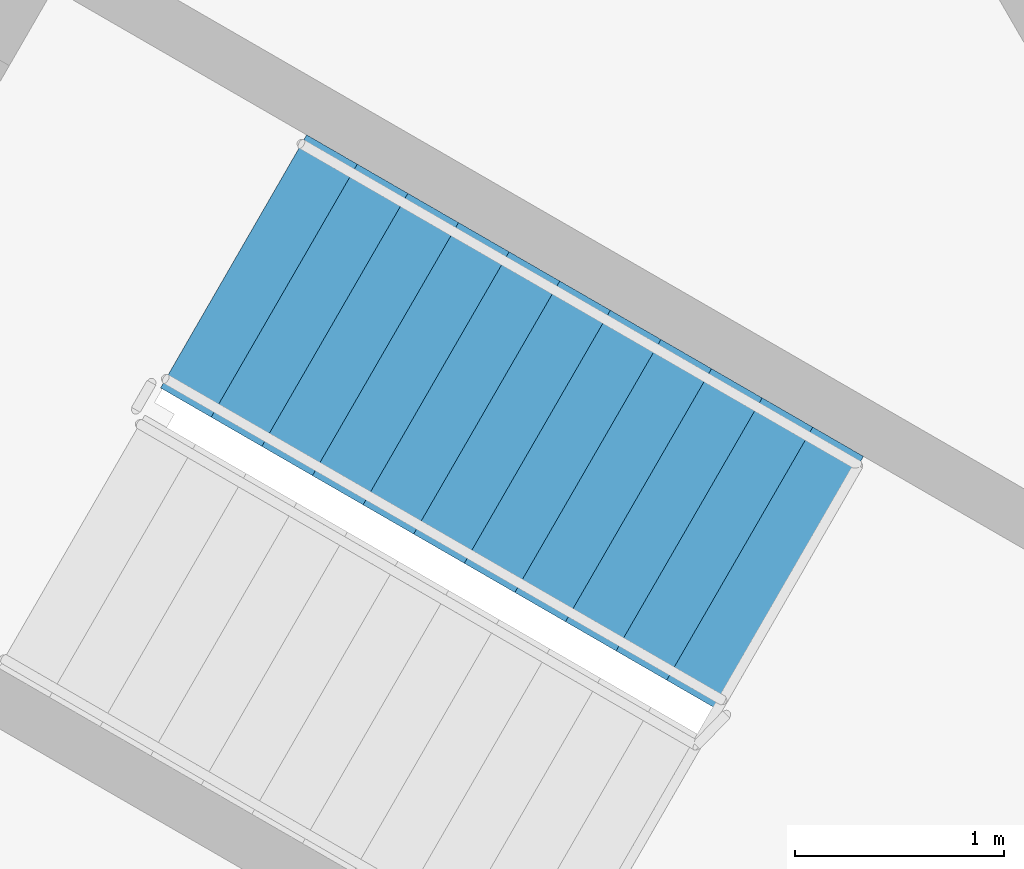
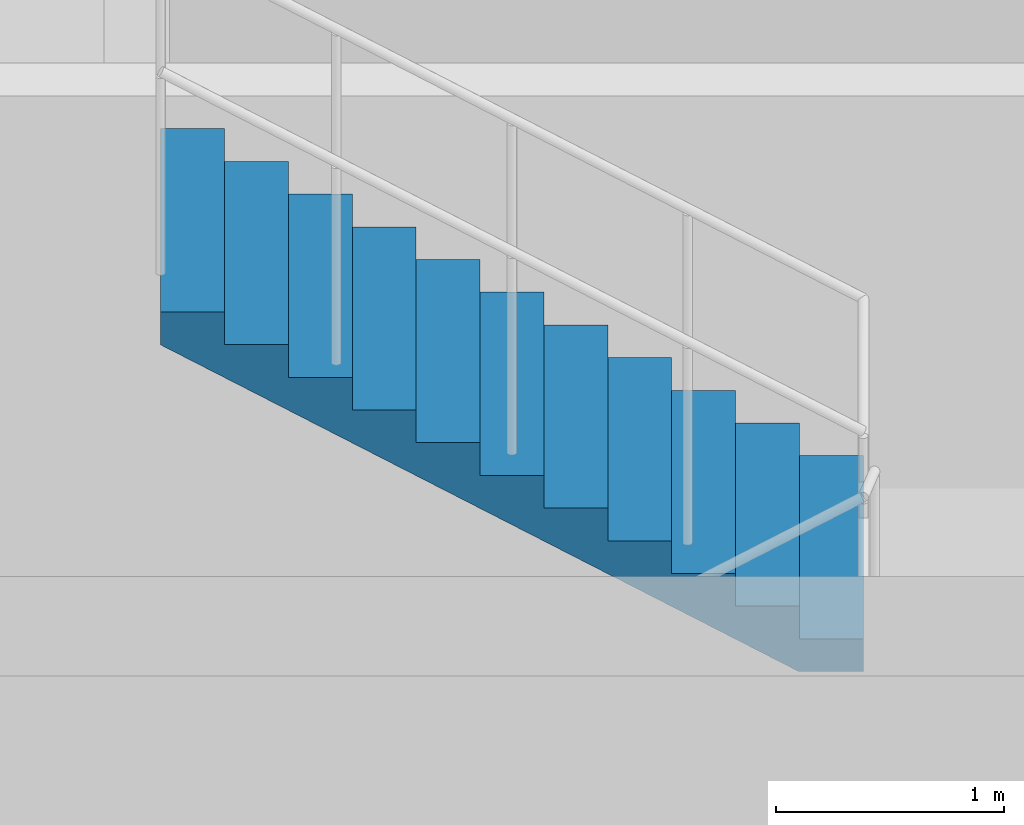
# One storey, part 9 of 10: 1 stair flight, 1 element without a shape of its own.
"""IFC4 building model written with IfcOpenShell, lengths in metres."""

import ifcopenshell
import ifcopenshell.guid

model = None  # the IFC model being written
_history = None  # IfcOwnerHistory: only IFC2X3 demands one
_inside = {}  # id of a spatial element -> (the spatial element, [elements in it])
_under = {}  # id of a project, library or spatial element -> (it, [spatial elements below it])
_declared = {}  # id of a project -> (the project, [libraries it declares])
_typed = {}  # id of a type object -> (the type object, [elements of that type])
_made_of = {}  # id of a material, layer set ... -> (it, [elements and type objects made of it])


def new_model(schema):
    """Start an empty IFC model of exactly this schema.

    Asked for "IFC4X3", IfcOpenShell would pick the latest addendum, in which some entities
    have other attributes; the version numbers below select the first issue.
    IFC2X3 requires an IfcOwnerHistory on every rooted entity: one is made here for all.
    """
    global model, _history
    if schema == "IFC4X3":
        model = ifcopenshell.file(schema_version=(4, 3, 0, 0))
    else:
        model = ifcopenshell.file(schema=schema)
    _inside.clear()
    _under.clear()
    _declared.clear()
    _typed.clear()
    _made_of.clear()
    _history = None
    if model.schema == "IFC2X3":
        org = make("IfcOrganization", Name="unknown")
        user = make(
            "IfcPersonAndOrganization",
            ThePerson=make("IfcPerson", FamilyName="unknown"),
            TheOrganization=org,
        )
        app = make(
            "IfcApplication",
            ApplicationDeveloper=org,
            Version="unknown",
            ApplicationFullName="unknown",
            ApplicationIdentifier="unknown",
        )
        _history = make(
            "IfcOwnerHistory",
            OwningUser=user,
            OwningApplication=app,
            ChangeAction="ADDED",
            CreationDate=0,
        )
    return model


def make(cls, **values):
    """One entity of the class cls with the attributes given. An attribute that is None is left unset."""
    return model.create_entity(
        cls, **{name: value for name, value in values.items() if value is not None}
    )


def rooted(cls, **values):
    """An entity with a GlobalId (a new one), such as an element, a storey or a relation."""
    return make(cls, GlobalId=ifcopenshell.guid.new(), OwnerHistory=_history, **values)


def si_unit(unit_type, name, prefix=None):
    """IfcSIUnit, for example si_unit("LENGTHUNIT", "METRE", prefix="MILLI")."""
    return make("IfcSIUnit", UnitType=unit_type, Prefix=prefix, Name=name)


def assignment(units):
    """IfcUnitAssignment: the units of a project."""
    return None if units is None else make("IfcUnitAssignment", Units=units)


def point(xyz):
    """IfcCartesianPoint."""
    return None if xyz is None else make("IfcCartesianPoint", Coordinates=xyz)


def direction(xyz):
    """IfcDirection."""
    return None if xyz is None else make("IfcDirection", DirectionRatios=xyz)


def frame(location, z_axis=None, x_axis=None):
    """IfcAxis2Placement3D, a coordinate frame: its origin and axes. An axis left out is left unset."""
    return make(
        "IfcAxis2Placement3D",
        Location=point(location),
        Axis=direction(z_axis),
        RefDirection=direction(x_axis),
    )


def origin():
    """The frame at (0, 0, 0) with its axes left unset."""
    return frame((0.0, 0.0, 0.0))


def place(relative_to, where):
    """IfcLocalPlacement: puts the frame where relative to a parent placement (None: the world)."""
    return make(
        "IfcLocalPlacement", PlacementRelTo=relative_to, RelativePlacement=where
    )


def context(
    kind, dimensions, precision=None, world=None, true_north=None, identifier=None
):
    """IfcGeometricRepresentationContext, for example the 3D "Model" context."""
    return make(
        "IfcGeometricRepresentationContext",
        ContextIdentifier=identifier,
        ContextType=kind,
        CoordinateSpaceDimension=dimensions,
        Precision=precision,
        WorldCoordinateSystem=world,
        TrueNorth=true_north,
    )


def subcontext(parent, identifier, kind, view, scale=None):
    """IfcGeometricRepresentationSubContext, for example "Body" below "Model"."""
    return make(
        "IfcGeometricRepresentationSubContext",
        ContextIdentifier=identifier,
        ContextType=kind,
        ParentContext=parent,
        TargetScale=scale,
        TargetView=view,
    )


def project(units=None, contexts=None):
    """IfcProject with its units and contexts."""
    return rooted(
        "IfcProject",
        Name="project",
        RepresentationContexts=contexts,
        UnitsInContext=assignment(units),
    )


def spatial(cls, under=None, at=None, **own):
    """A site, building, storey or space (cls), placed at a placement, below another one or the project."""
    s = rooted(cls, ObjectPlacement=at, **own)
    if under is not None:
        _under.setdefault(under.id(), (under, []))[1].append(s)
    return s


def polyline(points):
    """IfcPolyline through the points."""
    return make("IfcPolyline", Points=[point(p) for p in points])


def outline(outer, holes=None, kind="AREA"):
    """IfcArbitraryClosedProfileDef: a profile drawn as a closed curve; with holes, ...WithVoids."""
    if holes is None:
        return make("IfcArbitraryClosedProfileDef", ProfileType=kind, OuterCurve=outer)
    return make(
        "IfcArbitraryProfileDefWithVoids",
        ProfileType=kind,
        OuterCurve=outer,
        InnerCurves=holes,
    )


def extrude(swept, where, along, depth):
    """IfcExtrudedAreaSolid: the profile swept, set in the frame where, extruded along a direction by depth."""
    return make(
        "IfcExtrudedAreaSolid",
        SweptArea=swept,
        Position=where,
        ExtrudedDirection=direction(along),
        Depth=depth,
    )


def shape(context_of_items, identifier, shape_type, items):
    """IfcShapeRepresentation: the items that make up one representation, for example the "Body"."""
    return make(
        "IfcShapeRepresentation",
        ContextOfItems=context_of_items,
        RepresentationIdentifier=identifier,
        RepresentationType=shape_type,
        Items=items,
    )


def material(Name=None, Category=None):
    """IfcMaterial."""
    return make("IfcMaterial", Name=Name, Category=Category)


def made_of(thing, what):
    """Note that an element or type object is made of a material, layer set ...; save() writes the relation."""
    if what is not None:
        _made_of.setdefault(what.id(), (what, []))[1].append(thing)
    return thing


def type_object(cls, material=None, **own):
    """A type object (cls), such as IfcWallType, which elements share."""
    return made_of(rooted(cls, **own), material)


def element(
    cls,
    number,
    at=None,
    inside=None,
    cuts=None,
    type_object=None,
    material=None,
    context=None,
    identifier="Body",
    shape_type=None,
    held_by="IfcProductDefinitionShape",
    body=None,
    shapes=None,
    **own,
):
    """One element of the class cls, such as IfcWall. Its Tag is "e" and its number.

    at: its placement. inside: the storey or other place that contains it. cuts: it is an
    opening in that element (IfcRelVoidsElement). A single representation is given by context,
    identifier, shape_type and body (its items); several are given by shapes. held_by: the class
    of the entity that holds the representations. save() writes the other relations.
    """
    e = rooted(cls, Tag="e%d" % number, ObjectPlacement=at, **own)
    if body is not None:
        shapes = [shape(context, identifier, shape_type, body)]
    if shapes is not None:
        e.Representation = make(held_by, Representations=shapes)
    if inside is not None:
        _inside.setdefault(inside.id(), (inside, []))[1].append(e)
    if cuts is not None:
        rooted(
            "IfcRelVoidsElement", RelatingBuildingElement=cuts, RelatedOpeningElement=e
        )
    if type_object is not None:
        _typed.setdefault(type_object.id(), (type_object, []))[1].append(e)
    return made_of(e, material)


def aggregate(whole, parts):
    """IfcRelAggregates: a whole, such as a stair, and the parts it consists of."""
    return rooted("IfcRelAggregates", RelatingObject=whole, RelatedObjects=parts)


def save(model, path):
    """Write the relations noted so far, then the file.

    IfcRelAggregates (storeys below a building ...), IfcRelContainedInSpatialStructure (elements
    in a storey), IfcRelDefinesByType, IfcRelAssociatesMaterial and IfcRelDeclares: one each for
    every whole, place, type object, material and project.
    """
    for whole, parts in _under.values():
        aggregate(whole, parts)
    for where, things in _inside.values():
        rooted(
            "IfcRelContainedInSpatialStructure",
            RelatedElements=things,
            RelatingStructure=where,
        )
    for kind, things in _typed.values():
        rooted("IfcRelDefinesByType", RelatedObjects=things, RelatingType=kind)
    for what, things in _made_of.values():
        rooted("IfcRelAssociatesMaterial", RelatedObjects=things, RelatingMaterial=what)
    for by, libraries in _declared.values():
        rooted("IfcRelDeclares", RelatingContext=by, RelatedDefinitions=libraries)
    model.write(path)


model = new_model("IFC4")

# Units and contexts
model_context = context("Model", 3, precision=1e-05, world=origin(), true_north=direction((0.0, 1.0)))
body_context = subcontext(model_context, "Body", "Model", "MODEL_VIEW")
ifc_project = project(units=[si_unit("LENGTHUNIT", "METRE"), si_unit("AREAUNIT", "SQUARE_METRE"), si_unit("VOLUMEUNIT", "CUBIC_METRE"), si_unit("PLANEANGLEUNIT", "RADIAN"), si_unit("MASSUNIT", "GRAM", prefix="KILO")], contexts=[model_context])

# Site, building, storey
site_placement = place(None, origin())
site = spatial("IfcSite", under=ifc_project, at=site_placement, CompositionType="ELEMENT")
building_placement = place(site_placement, origin())
building = spatial("IfcBuilding", under=site, at=building_placement, Name="Mestral Congress Tower", CompositionType="ELEMENT")
storey_placement = place(building_placement, frame((0.0, 0.0, 313.199951171875)))
storey = spatial("IfcBuildingStorey", under=building, at=storey_placement, Name="L73", CompositionType="ELEMENT", Elevation=313.199951171875)

# Stair, stair flight
ifc_material = material(Name="Concrete C60/75", Category="concrete")
stair_type = type_object("IfcStairType", Name="Exit stair 1400", PredefinedType="HALF_TURN_STAIR", material=ifc_material)
stair_placement = place(storey_placement, origin())
stair = element("IfcStair", 1, at=stair_placement, inside=storey, type_object=stair_type, Name="L73 ST1", PredefinedType="HALF_TURN_STAIR")
stair_flight_type = type_object("IfcStairFlightType", Name="Exit stair flight 1400", PredefinedType="STRAIGHT", material=ifc_material)
stair_flight_placement = place(storey_placement, frame((12.018310546875, -6.0439453125, 2.10009765625), z_axis=(0.0, 0.0, 1.0), x_axis=(-0.866025403784, 0.5, 0.0)))
stair_flight = element("IfcStairFlight", 2, at=stair_flight_placement, type_object=stair_flight_type, Name="ST1 flight 2", NumberOfRisers=12, NumberOfTreads=11, PredefinedType="STRAIGHT", RiserHeight=0.175, TreadLength=0.28, context=body_context, shape_type="SweptSolid", body=[
    extrude(outline(polyline([(0.0, 0.0), (0.0, 0.175048828125), (0.280029296875, 0.175048828125), (0.280029296875, 0.35009765625), (0.56005859375, 0.35009765625), (0.56005859375, 0.52490234375), (0.840087890625, 0.52490234375), (0.840087890625, 0.699951171875), (1.1201171875, 0.699951171875), (1.1201171875, 0.875), (1.39990234375, 0.875), (1.39990234375, 1.050048828125), (1.679931640625, 1.050048828125), (1.679931640625, 1.22509765625), (1.9599609375, 1.22509765625), (1.9599609375, 1.39990234375), (2.239990234375, 1.39990234375), (2.239990234375, 1.574951171875), (2.52001953125, 1.574951171875), (2.52001953125, 1.75), (2.800048828125, 1.75), (2.800048828125, 1.925048828125), (3.080078125, 1.925048828125), (3.080078125, 2.10009765625), (3.080078125, 1.748291015625), (0.28271484375, 0.0), (0.0, 0.0)])), frame((0.0, 0.699951171875, 0.0), z_axis=(0.0, -1.0, 0.0), x_axis=(1.0, 0.0, 0.0)), (0.0, 0.0, 1.0), 1.39990234375),
])
aggregate(stair, [stair_flight])

save(model, "model.ifc")
